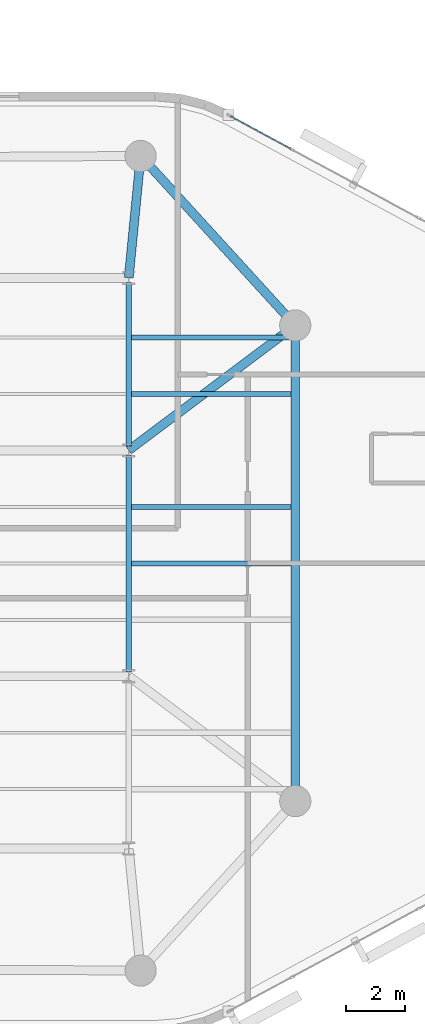
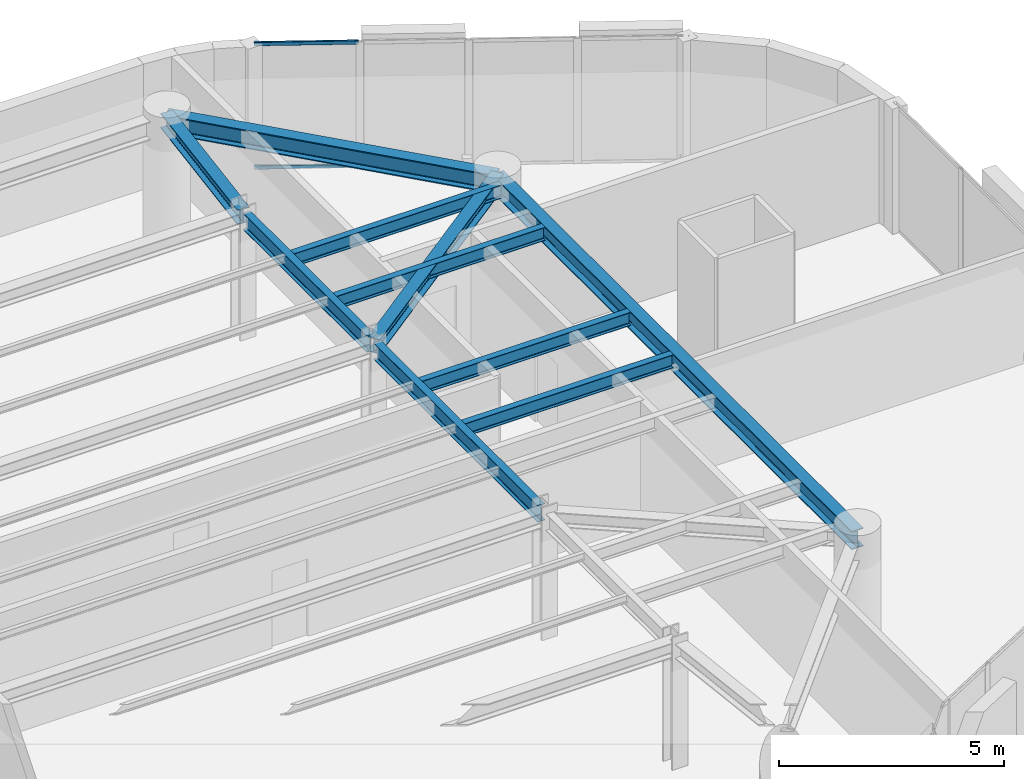
# One storey, part 5 of 13: 10 beams, 2 members, 1 element without a shape of its own.
"""IFC4 building model written with IfcOpenShell, lengths in metres."""

from ifc_helpers import new_model, si_unit, direction, frame, origin, origin_2d, place, context, subcontext, project, spatial, hollow_rectangle, i_section, extrude, material, layer, layer_set, material_profile, profile_set, type_object, element, aggregate, save


model = new_model("IFC4")

# Units and contexts
model_context = context("Model", 3, precision=1e-05, world=origin(), true_north=direction((0.0, 1.0)))
body_context = subcontext(model_context, "Body", "Model", "MODEL_VIEW")
ifc_project = project(units=[si_unit("LENGTHUNIT", "METRE"), si_unit("AREAUNIT", "SQUARE_METRE"), si_unit("VOLUMEUNIT", "CUBIC_METRE"), si_unit("PLANEANGLEUNIT", "RADIAN"), si_unit("MASSUNIT", "GRAM", prefix="KILO")], contexts=[model_context])

# Site, building, storey
site_placement = place(None, origin())
site = spatial("IfcSite", under=ifc_project, at=site_placement, CompositionType="ELEMENT")
building_placement = place(site_placement, origin())
building = spatial("IfcBuilding", under=site, at=building_placement, Name="An Khanh Terracotta Commons", CompositionType="ELEMENT")
storey_placement = place(building_placement, frame((0.0, 0.0, 201.300048828125)))
storey = spatial("IfcBuildingStorey", under=building, at=storey_placement, Name="L52", CompositionType="ELEMENT", Elevation=201.300048828125)

# Beams
ifc_material_1 = material(Name="Steel S355J2", Category="steel")
ifc_material_profile_1 = material_profile(ifc_material_1, i_section(OverallWidth=0.300048828125, OverallDepth=0.39990234375, WebThickness=0.013427734375, FlangeThickness=0.02392578125, FilletRadius=0.027099609375, at=origin_2d()), Name="HEB400")
ifc_profile_set_1 = profile_set([ifc_material_profile_1], Name="Steel S355J2")
beam_type_1 = type_object("IfcBeamType", Name="BM-HEB400", PredefinedType="BEAM", material=ifc_profile_set_1)
beam_1_placement = place(storey_placement, frame((59.60009765625, 32.0, 3.199951171875), z_axis=(-0.800008370399, -0.599988839305, 0.0), x_axis=(0.599988839305, -0.800008370399, 0.0)))
element("IfcBeam", 1, at=beam_1_placement, inside=storey, type_object=beam_type_1, Name="L52 Mega-Column Tie Girder 4", PredefinedType="BEAM", context=body_context, shape_type="SweptSolid", body=[
    extrude(i_section(OverallWidth=0.300048828125, OverallDepth=0.39990234375, WebThickness=0.013427734375, FlangeThickness=0.02392578125, FilletRadius=0.027099609375, at=origin_2d()), origin(), (0.0, 0.0, 1.0), 7.0),
])
beam_2_placement = place(storey_placement, frame((54.39990234375, 37.699951171875, 3.199951171875), z_axis=(-0.097079917443, -0.995276589511, 0.0), x_axis=(0.995276589511, -0.097079917443, 0.0)))
element("IfcBeam", 2, at=beam_2_placement, inside=storey, type_object=beam_type_1, Name="L52 Mega-Column Tie Girder 5", PredefinedType="BEAM", context=body_context, shape_type="SweptSolid", body=[
    extrude(i_section(OverallWidth=0.300048828125, OverallDepth=0.39990234375, WebThickness=0.013427734375, FlangeThickness=0.02392578125, FilletRadius=0.027099609375, at=origin_2d()), origin(), (0.0, 0.0, 1.0), 4.119384765625),
])
ifc_material_profile_2 = material_profile(ifc_material_1, i_section(OverallWidth=0.300048828125, OverallDepth=0.5, WebThickness=0.014404296875, FlangeThickness=0.028076171875, FilletRadius=0.027099609375, at=origin_2d()), Name="HEB500")
ifc_profile_set_2 = profile_set([ifc_material_profile_2], Name="Steel S355J2")
beam_type_2 = type_object("IfcBeamType", Name="BM-HEB500", PredefinedType="BEAM", material=ifc_profile_set_2)
beam_3_placement = place(storey_placement, frame((59.60009765625, 16.0, 3.14990234375), z_axis=(0.0, 1.0, 0.0), x_axis=(-1.0, 0.0, 0.0)))
element("IfcBeam", 3, at=beam_3_placement, inside=storey, type_object=beam_type_2, Name="L52 Perimeter Ring Spandrel 3", PredefinedType="BEAM", context=body_context, shape_type="SweptSolid", body=[
    extrude(i_section(OverallWidth=0.300048828125, OverallDepth=0.5, WebThickness=0.014404296875, FlangeThickness=0.028076171875, FilletRadius=0.027099609375, at=origin_2d()), origin(), (0.0, 0.0, 1.0), 16.0),
])
beam_4_placement = place(storey_placement, frame((59.60009765625, 32.0, 3.14990234375), z_axis=(-0.673978953902, 0.738750546326, 0.0), x_axis=(-0.738750546326, -0.673978953902, 0.0)))
element("IfcBeam", 4, at=beam_4_placement, inside=storey, type_object=beam_type_2, Name="L52 Perimeter Ring Spandrel 4", PredefinedType="BEAM", context=body_context, shape_type="SweptSolid", body=[
    extrude(i_section(OverallWidth=0.300048828125, OverallDepth=0.5, WebThickness=0.014404296875, FlangeThickness=0.028076171875, FilletRadius=0.027099609375, at=origin_2d()), origin(), (0.0, 0.0, 1.0), 7.715576171875),
])
ifc_material_profile_3 = material_profile(ifc_material_1, i_section(OverallWidth=0.169921875, OverallDepth=0.360107421875, WebThickness=0.008056640625, FlangeThickness=0.0126953125, FilletRadius=0.01806640625, at=origin_2d()), Name="IPE360")
ifc_profile_set_3 = profile_set([ifc_material_profile_3], Name="Steel S355J2")
beam_type_3 = type_object("IfcBeamType", Name="BM-IPE360", PredefinedType="JOIST", material=ifc_profile_set_3)
for number, where, z_axis, x_axis, name in (
    (5, (54.094970703125, 24.0, 3.219970703125), (1.0, 0.0, 0.0), (0.0, 1.0, 0.0), "L52 Riverfront Composite Joist 4"),
    (6, (54.094970703125, 25.89990234375, 3.219970703125), (1.0, 0.0, 0.0), (0.0, 1.0, 0.0), "L52 Riverfront Composite Joist 5"),
    (7, (54.094970703125, 29.699951171875, 3.219970703125), (1.0, 0.0, 0.0), (0.0, 1.0, 0.0), "L52 Riverfront Composite Joist 6"),
    (8, (54.094970703125, 31.60009765625, 3.219970703125), (1.0, 0.0, 0.0), (0.0, 1.0, 0.0), "L52 Riverfront Composite Joist 7"),
):
    element("IfcBeam", number, at=place(storey_placement, frame(where, z_axis=z_axis, x_axis=x_axis)), inside=storey, type_object=beam_type_3, Name=name, PredefinedType="JOIST", context=body_context, shape_type="SweptSolid", body=[
        extrude(i_section(OverallWidth=0.169921875, OverallDepth=0.360107421875, WebThickness=0.008056640625, FlangeThickness=0.0126953125, FilletRadius=0.01806640625, at=origin_2d()), origin(), (0.0, 0.0, 1.0), 5.35498046875),
    ])
ifc_material_profile_4 = material_profile(ifc_material_1, i_section(OverallWidth=0.18994140625, OverallDepth=0.449951171875, WebThickness=0.009521484375, FlangeThickness=0.0146484375, FilletRadius=0.02099609375, at=origin_2d()), Name="IPE450")
ifc_profile_set_4 = profile_set([ifc_material_profile_4], Name="Steel S355J2")
beam_type_4 = type_object("IfcBeamType", Name="BM-IPE450", PredefinedType="JOIST", material=ifc_profile_set_4)
beam_5_placement = place(storey_placement, frame((54.0, 20.35009765625, 3.175048828125), z_axis=(0.0, 1.0, 0.0), x_axis=(-1.0, 0.0, 0.0)))
element("IfcBeam", 9, at=beam_5_placement, inside=storey, type_object=beam_type_4, Name="L52 East Spine Girder 2", PredefinedType="JOIST", context=body_context, shape_type="SweptSolid", body=[
    extrude(i_section(OverallWidth=0.18994140625, OverallDepth=0.449951171875, WebThickness=0.009521484375, FlangeThickness=0.0146484375, FilletRadius=0.02099609375, at=origin_2d()), origin(), (0.0, 0.0, 1.0), 7.2998046875),
])
beam_6_placement = place(storey_placement, frame((54.0, 27.949951171875, 3.175048828125), z_axis=(0.0, 1.0, 0.0), x_axis=(-1.0, 0.0, 0.0)))
element("IfcBeam", 10, at=beam_6_placement, inside=storey, type_object=beam_type_4, Name="L52 East Spine Girder 3", PredefinedType="JOIST", context=body_context, shape_type="SweptSolid", body=[
    extrude(i_section(OverallWidth=0.18994140625, OverallDepth=0.449951171875, WebThickness=0.009521484375, FlangeThickness=0.0146484375, FilletRadius=0.02099609375, at=origin_2d()), origin(), (0.0, 0.0, 1.0), 5.5),
])

# Curtain wall, members
ifc_material_2 = material(Name="Anodised Aluminium 6063-T6", Category="aluminium")
ifc_layer = layer(ifc_material_2, 0.2099609375, Name="Anodised Aluminium 6063-T6")
ifc_layer_set = layer_set([ifc_layer], Name="Anodised Aluminium 6063-T6")
curtain_wall_type = type_object("IfcCurtainWallType", Name="CW-SYS-03", PredefinedType="USERDEFINED", material=ifc_layer_set)
curtain_wall_placement = place(storey_placement, origin())
curtain_wall = element("IfcCurtainWall", 11, at=curtain_wall_placement, inside=storey, type_object=curtain_wall_type, Name="L52 CW-03 Unitised Curtain Wall CW-L52-16", ObjectType="UNITISED CURTAIN WALL", PredefinedType="USERDEFINED")
ifc_material_profile_5 = material_profile(ifc_material_2, hollow_rectangle(XDim=0.050048828125, YDim=0.10009765625, WallThickness=0.003173828125, InnerFilletRadius=0.003173828125, OuterFilletRadius=0.00634765625, at=origin_2d()), Name="RHS100x50x3.2")
ifc_profile_set_5 = profile_set([ifc_material_profile_5], Name="Anodised Aluminium 6063-T6")
member_type = type_object("IfcMemberType", Name="CWT-RHS100x50x3.2", PredefinedType="USERDEFINED", material=ifc_profile_set_5)
member_1_placement = place(storey_placement, frame((59.455078125, 37.94140625, 0.02490234375), z_axis=(-0.879779245677, 0.475382455373, 0.0), x_axis=(-0.475382455373, -0.879779245677, 0.0)))
member_1 = element("IfcMember", 12, at=member_1_placement, type_object=member_type, Name="CW-03 transom 4.1", ObjectType="TRANSOM", PredefinedType="USERDEFINED", context=body_context, shape_type="SweptSolid", body=[
    extrude(hollow_rectangle(XDim=0.050048828125, YDim=0.10009765625, WallThickness=0.003173828125, InnerFilletRadius=0.003173828125, OuterFilletRadius=0.00634765625, at=origin_2d()), origin(), (0.0, 0.0, 1.0), 2.314697265625),
])
member_2_placement = place(storey_placement, frame((59.455078125, 37.94140625, 3.375), z_axis=(-0.879779245677, 0.475382455373, 0.0), x_axis=(-0.475382455373, -0.879779245677, 0.0)))
member_2 = element("IfcMember", 13, at=member_2_placement, type_object=member_type, Name="CW-03 transom 4.2", ObjectType="TRANSOM", PredefinedType="USERDEFINED", context=body_context, shape_type="SweptSolid", body=[
    extrude(hollow_rectangle(XDim=0.050048828125, YDim=0.10009765625, WallThickness=0.003173828125, InnerFilletRadius=0.003173828125, OuterFilletRadius=0.00634765625, at=origin_2d()), origin(), (0.0, 0.0, 1.0), 2.314697265625),
])
aggregate(curtain_wall, [member_1, member_2])

save(model, "model.ifc")
